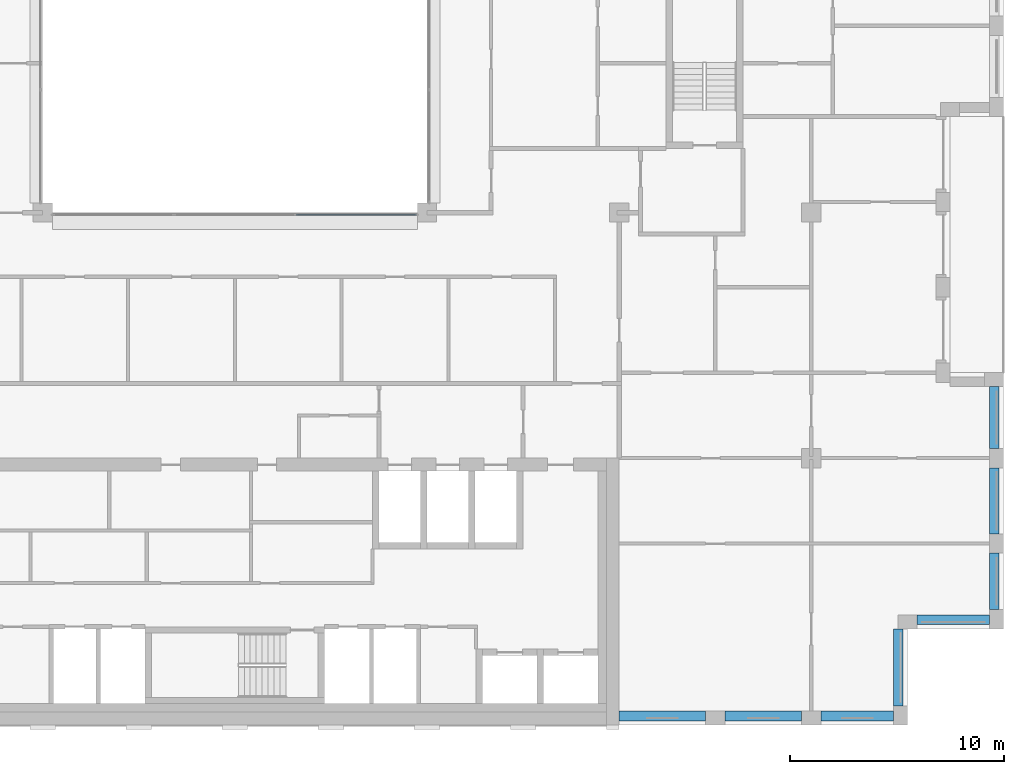
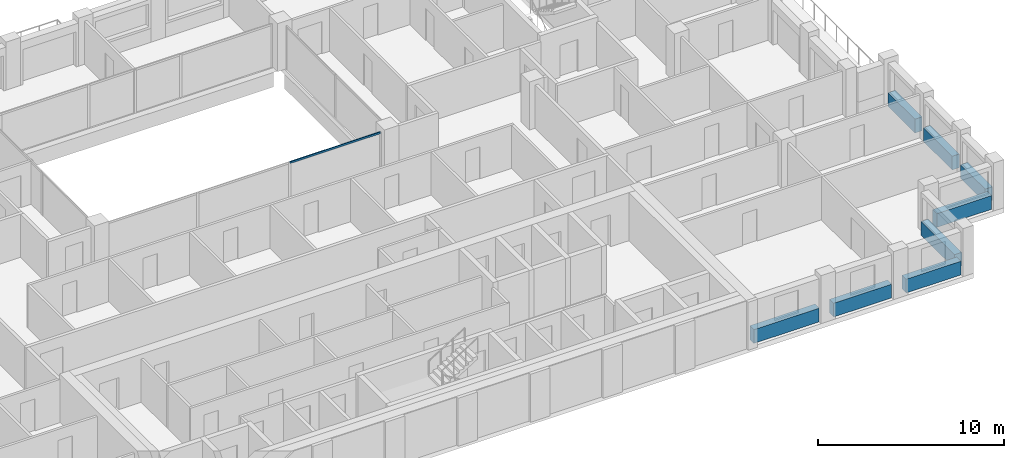
# One storey, part 3 of 15: 8 beams, 1 member, 1 element without a shape of its own.
"""IFC4 building model written with IfcOpenShell, lengths in metres."""

from ifc_helpers import new_model, si_unit, direction, frame, origin, origin_2d, place, context, subcontext, project, spatial, rectangle, extrude, material, layer, layer_set, material_profile, profile_set, type_object, element, aggregate, save


model = new_model("IFC4")

# Units and contexts
model_context = context("Model", 3, precision=1e-05, world=origin(), true_north=direction((0.0, 1.0)))
body_context = subcontext(model_context, "Body", "Model", "MODEL_VIEW")
ifc_project = project(units=[si_unit("LENGTHUNIT", "METRE"), si_unit("AREAUNIT", "SQUARE_METRE"), si_unit("VOLUMEUNIT", "CUBIC_METRE"), si_unit("PLANEANGLEUNIT", "RADIAN"), si_unit("MASSUNIT", "GRAM", prefix="KILO")], contexts=[model_context])

# Site, building, storey
site_placement = place(None, origin())
site = spatial("IfcSite", under=ifc_project, at=site_placement, CompositionType="ELEMENT")
building_placement = place(site_placement, origin())
building = spatial("IfcBuilding", under=site, at=building_placement, Name="Brigalow Station Residences", CompositionType="ELEMENT")
storey_placement = place(building_placement, frame((0.0, 0.0, 207.449951171875)))
storey = spatial("IfcBuildingStorey", under=building, at=storey_placement, Name="L59", CompositionType="ELEMENT", Elevation=207.449951171875)

# Curtain wall, member
ifc_material_1 = material(Name="Aluminium", Category="aluminium")
ifc_layer = layer(ifc_material_1, 0.14990234375)
ifc_layer_set = layer_set([ifc_layer], Name="ATRIUM FIRE-RATED GLAZING CURTAIN WALL")
curtain_wall_type = type_object("IfcCurtainWallType", Name="ATRIUM FIRE-RATED GLAZING CURTAIN WALL", PredefinedType="NOTDEFINED", material=ifc_layer_set)
curtain_wall_placement = place(storey_placement, origin())
curtain_wall = element("IfcCurtainWall", 1, at=curtain_wall_placement, inside=storey, type_object=curtain_wall_type, Name="L59/cw/atrium-S", PredefinedType="NOTDEFINED")
ifc_material_2 = material(Name="Aluminium", Category="aluminium")
ifc_material_profile_1 = material_profile(ifc_material_2, rectangle(XDim=0.06005859375, YDim=0.1201171875, at=origin_2d()), Name="ATRIUM FIRE-RATED GLAZING TRANSOM 60x120")
ifc_profile_set_1 = profile_set([ifc_material_profile_1], Name="Aluminium")
member_type = type_object("IfcMemberType", Name="ATRIUM FIRE-RATED GLAZING TRANSOM 60x120", PredefinedType="USERDEFINED", material=ifc_profile_set_1)
member_placement = place(storey_placement, frame((38.8798828125, 23.89990234375, 2.800048828125), z_axis=(1.0, 0.0, 0.0), x_axis=(0.0, 1.0, 0.0)))
member = element("IfcMember", 2, at=member_placement, type_object=member_type, Name="L59/cw/atrium-S/T02-00", ObjectType="TRANSOM", PredefinedType="USERDEFINED", context=body_context, shape_type="SweptSolid", body=[
    extrude(rectangle(XDim=0.06005859375, YDim=0.1201171875, at=origin_2d()), origin(), (0.0, 0.0, 1.0), 5.610107421875),
])
aggregate(curtain_wall, [member])

# Beams
ifc_material_3 = material(Name="Concrete C50", Category="concrete")
ifc_material_profile_2 = material_profile(ifc_material_3, rectangle(XDim=0.449951171875, YDim=0.89990234375, at=origin_2d()), Name="RC450x900")
ifc_profile_set_2 = profile_set([ifc_material_profile_2], Name="Concrete C50")
beam_type = type_object("IfcBeamType", Name="SPANDREL BEAM 450x900 C50", PredefinedType="SPANDREL", material=ifc_profile_set_2)
beam_1_placement = place(storey_placement, frame((54.0, 0.425048828125, 0.449951171875), z_axis=(1.0, 0.0, 0.0), x_axis=(0.0, 1.0, 0.0)))
element("IfcBeam", 3, at=beam_1_placement, inside=storey, type_object=beam_type, Name="L59/spandrel/W-L59-3", PredefinedType="SPANDREL", context=body_context, shape_type="SweptSolid", body=[
    extrude(rectangle(XDim=0.449951171875, YDim=0.89990234375, at=origin_2d()), origin(), (0.0, 0.0, 1.0), 4.050048828125),
])
beam_2_placement = place(storey_placement, frame((58.949951171875, 0.425048828125, 0.449951171875), z_axis=(1.0, 0.0, 0.0), x_axis=(0.0, 1.0, 0.0)))
element("IfcBeam", 4, at=beam_2_placement, inside=storey, type_object=beam_type, Name="L59/spandrel/W-L59-4", PredefinedType="SPANDREL", context=body_context, shape_type="SweptSolid", body=[
    extrude(rectangle(XDim=0.449951171875, YDim=0.89990234375, at=origin_2d()), origin(), (0.0, 0.0, 1.0), 3.60009765625),
])
beam_3_placement = place(storey_placement, frame((63.449951171875, 0.425048828125, 0.449951171875), z_axis=(1.0, 0.0, 0.0), x_axis=(0.0, 1.0, 0.0)))
element("IfcBeam", 5, at=beam_3_placement, inside=storey, type_object=beam_type, Name="L59/spandrel/W-L59-5", PredefinedType="SPANDREL", context=body_context, shape_type="SweptSolid", body=[
    extrude(rectangle(XDim=0.449951171875, YDim=0.89990234375, at=origin_2d()), origin(), (0.0, 0.0, 1.0), 3.400146484375),
])
beam_4_placement = place(storey_placement, frame((67.074951171875, 0.89990234375, 0.449951171875), z_axis=(0.0, 1.0, 0.0), x_axis=(-1.0, 0.0, 0.0)))
element("IfcBeam", 6, at=beam_4_placement, inside=storey, type_object=beam_type, Name="L59/spandrel/W-L59-6", PredefinedType="SPANDREL", context=body_context, shape_type="SweptSolid", body=[
    extrude(rectangle(XDim=0.449951171875, YDim=0.89990234375, at=origin_2d()), origin(), (0.0, 0.0, 1.0), 3.60009765625),
])
beam_5_placement = place(storey_placement, frame((67.949951171875, 4.925048828125, 0.449951171875), z_axis=(1.0, 0.0, 0.0), x_axis=(0.0, 1.0, 0.0)))
element("IfcBeam", 7, at=beam_5_placement, inside=storey, type_object=beam_type, Name="L59/spandrel/W-L59-7", PredefinedType="SPANDREL", context=body_context, shape_type="SweptSolid", body=[
    extrude(rectangle(XDim=0.449951171875, YDim=0.89990234375, at=origin_2d()), origin(), (0.0, 0.0, 1.0), 3.400146484375),
])
beam_6_placement = place(storey_placement, frame((71.574951171875, 5.39990234375, 0.449951171875), z_axis=(0.0, 1.0, 0.0), x_axis=(-1.0, 0.0, 0.0)))
element("IfcBeam", 8, at=beam_6_placement, inside=storey, type_object=beam_type, Name="L59/spandrel/W-L59-8", PredefinedType="SPANDREL", context=body_context, shape_type="SweptSolid", body=[
    extrude(rectangle(XDim=0.449951171875, YDim=0.89990234375, at=origin_2d()), origin(), (0.0, 0.0, 1.0), 2.650146484375),
])
beam_7_placement = place(storey_placement, frame((71.574951171875, 8.949951171875, 0.449951171875), z_axis=(0.0, 1.0, 0.0), x_axis=(-1.0, 0.0, 0.0)))
element("IfcBeam", 9, at=beam_7_placement, inside=storey, type_object=beam_type, Name="L59/spandrel/W-L59-9", PredefinedType="SPANDREL", context=body_context, shape_type="SweptSolid", body=[
    extrude(rectangle(XDim=0.449951171875, YDim=0.89990234375, at=origin_2d()), origin(), (0.0, 0.0, 1.0), 3.10009765625),
])
beam_8_placement = place(storey_placement, frame((71.574951171875, 12.949951171875, 0.449951171875), z_axis=(0.0, 1.0, 0.0), x_axis=(-1.0, 0.0, 0.0)))
element("IfcBeam", 10, at=beam_8_placement, inside=storey, type_object=beam_type, Name="L59/spandrel/W-L59-10", PredefinedType="SPANDREL", context=body_context, shape_type="SweptSolid", body=[
    extrude(rectangle(XDim=0.449951171875, YDim=0.89990234375, at=origin_2d()), origin(), (0.0, 0.0, 1.0), 2.900146484375),
])

save(model, "model.ifc")
